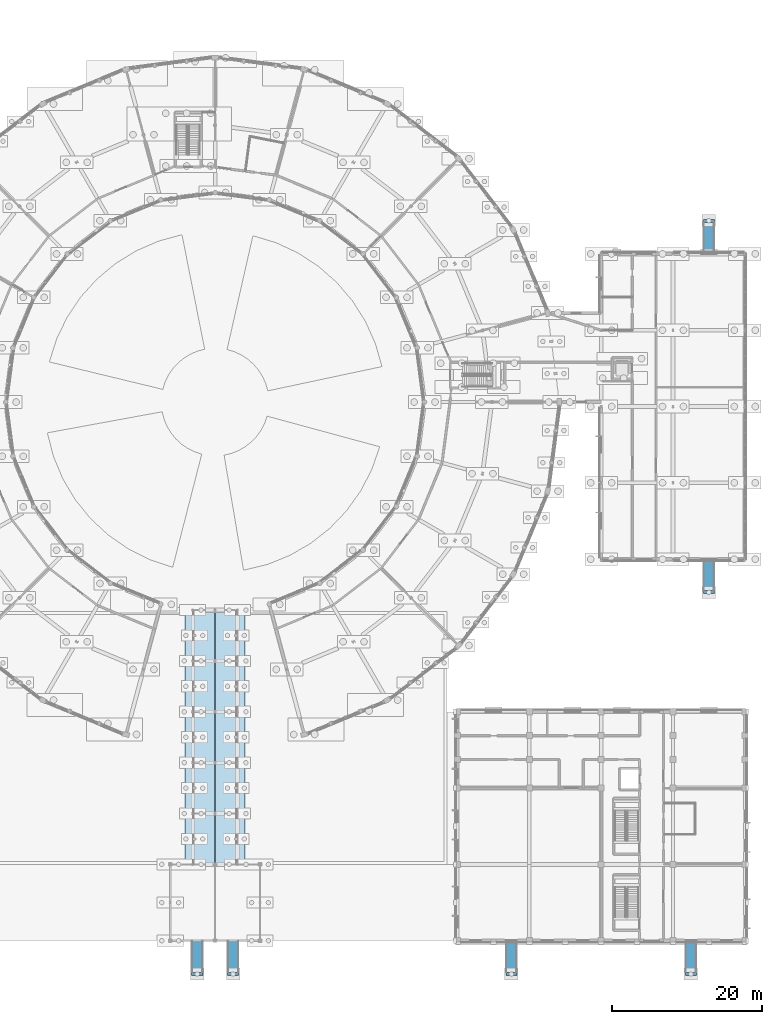
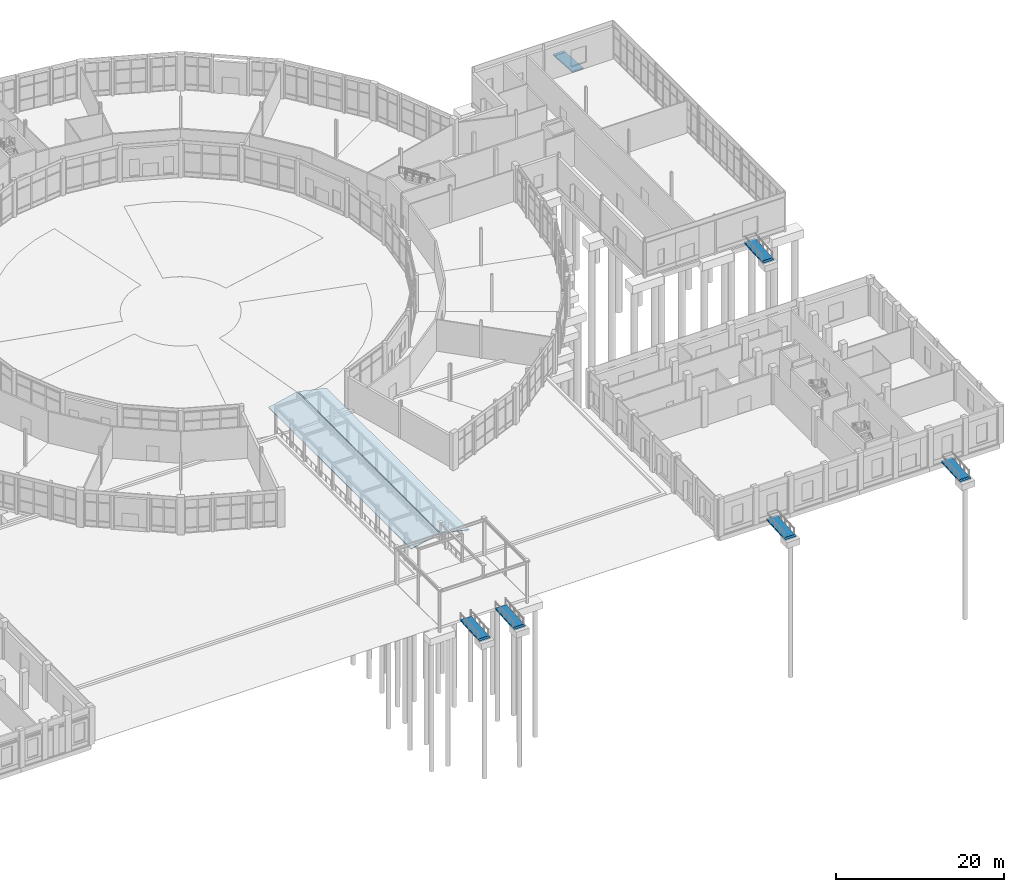
# One storey, part 115 of 137: 6 ramps, 6 ramp flights, 2 roofs.
"""IFC4 building model written with IfcOpenShell, lengths in metres."""

from ifc_helpers import new_model, si_unit, direction, frame, origin, origin_2d, place, context, subcontext, project, spatial, polyline, rectangle, outline, extrude, material, layer, layer_set, type_object, element, aggregate, save


model = new_model("IFC4")

# Units and contexts
model_context = context("Model", 3, precision=1e-05, world=origin(), true_north=direction((0.0, 1.0)))
body_context = subcontext(model_context, "Body", "Model", "MODEL_VIEW")
ifc_project = project(units=[si_unit("LENGTHUNIT", "METRE"), si_unit("AREAUNIT", "SQUARE_METRE"), si_unit("VOLUMEUNIT", "CUBIC_METRE"), si_unit("PLANEANGLEUNIT", "RADIAN"), si_unit("MASSUNIT", "GRAM", prefix="KILO")], contexts=[model_context])

# Site, building, storey
site_placement = place(None, origin())
site = spatial("IfcSite", under=ifc_project, at=site_placement, CompositionType="ELEMENT")
building_placement = place(site_placement, origin())
building = spatial("IfcBuilding", under=site, at=building_placement, Name="Vondelvale Polytechnic", CompositionType="ELEMENT")
storey_placement = place(building_placement, origin())
storey = spatial("IfcBuildingStorey", under=building, at=storey_placement, Name="L00", CompositionType="ELEMENT", Elevation=0.0)

# Ramp
ifc_material_1 = material(Name="Concrete N40 (f'c = 40 MPa)", Category="concrete")
ramp_type = type_object("IfcRampType", Name="RMP-ACCESS-1500", PredefinedType="STRAIGHT_RUN_RAMP", material=ifc_material_1)
ramp_1_placement = place(storey_placement, frame((99.60009765625, -4.419921875, -0.47998046875), z_axis=(0.0, 0.0, 1.0), x_axis=(1.0, 0.0, 0.0)))
ramp_1 = element("IfcRamp", 1, at=ramp_1_placement, inside=storey, type_object=ramp_type, Name="Accessible entrance ramp RMP-01", PredefinedType="STRAIGHT_RUN_RAMP", context=body_context, shape_type="SweptSolid", body=[
    extrude(rectangle(XDim=1.5, YDim=0.39990234375, at=origin_2d()), origin(), (0.0, 0.0, 1.0), 0.199951171875),
])

ramp_2_placement = place(storey_placement, frame((104.39990234375, -4.419921875, -0.47998046875), z_axis=(0.0, 0.0, 1.0), x_axis=(1.0, 0.0, 0.0)))
ramp_2 = element("IfcRamp", 2, at=ramp_2_placement, inside=storey, type_object=ramp_type, Name="Accessible entrance ramp RMP-02", PredefinedType="STRAIGHT_RUN_RAMP", context=body_context, shape_type="SweptSolid", body=[
    extrude(rectangle(XDim=1.5, YDim=0.39990234375, at=origin_2d()), origin(), (0.0, 0.0, 1.0), 0.199951171875),
])

ramp_3_placement = place(storey_placement, frame((141.60009765625, -4.419921875, -0.47998046875), z_axis=(0.0, 0.0, 1.0), x_axis=(1.0, 0.0, 0.0)))
ramp_3 = element("IfcRamp", 3, at=ramp_3_placement, inside=storey, type_object=ramp_type, Name="Accessible entrance ramp RMP-03", PredefinedType="STRAIGHT_RUN_RAMP", context=body_context, shape_type="SweptSolid", body=[
    extrude(rectangle(XDim=1.5, YDim=0.39990234375, at=origin_2d()), origin(), (0.0, 0.0, 1.0), 0.199951171875),
])

ramp_4_placement = place(storey_placement, frame((165.60009765625, -4.419921875, -0.47998046875), z_axis=(0.0, 0.0, 1.0), x_axis=(1.0, 0.0, 0.0)))
ramp_4 = element("IfcRamp", 4, at=ramp_4_placement, inside=storey, type_object=ramp_type, Name="Accessible entrance ramp RMP-04", PredefinedType="STRAIGHT_RUN_RAMP", context=body_context, shape_type="SweptSolid", body=[
    extrude(rectangle(XDim=1.5, YDim=0.39990234375, at=origin_2d()), origin(), (0.0, 0.0, 1.0), 0.199951171875),
])

ramp_5_placement = place(storey_placement, frame((168.0, 46.580078125, -0.47998046875), z_axis=(0.0, 0.0, 1.0), x_axis=(1.0, 0.0, 0.0)))
ramp_5 = element("IfcRamp", 5, at=ramp_5_placement, inside=storey, type_object=ramp_type, Name="Accessible entrance ramp RMP-05", PredefinedType="STRAIGHT_RUN_RAMP", context=body_context, shape_type="SweptSolid", body=[
    extrude(rectangle(XDim=1.5, YDim=0.39990234375, at=origin_2d()), origin(), (0.0, 0.0, 1.0), 0.199951171875),
])

ramp_6_placement = place(storey_placement, frame((168.0, 96.219970703125, -0.47998046875), z_axis=(0.0, 0.0, 1.0), x_axis=(1.0, 0.0, 0.0)))
ramp_6 = element("IfcRamp", 6, at=ramp_6_placement, inside=storey, type_object=ramp_type, Name="Accessible entrance ramp RMP-06", PredefinedType="STRAIGHT_RUN_RAMP", context=body_context, shape_type="SweptSolid", body=[
    extrude(rectangle(XDim=1.5, YDim=0.39990234375, at=origin_2d()), origin(), (0.0, 0.0, 1.0), 0.199951171875),
])

# Ramp flight
ifc_layer_1 = layer(ifc_material_1, 0.219970703125)
ifc_layer_set_1 = layer_set([ifc_layer_1], Name="RMPF-ACCESS-1500")
ramp_flight_type = type_object("IfcRampFlightType", Name="RMPF-ACCESS-1500", PredefinedType="STRAIGHT", material=ifc_layer_set_1)
ramp_flight_1_placement = place(storey_placement, frame((98.85009765625, -4.199951171875, -0.280029296875), z_axis=(0.0, -0.066526709719, 0.997784644547), x_axis=(0.0, 0.997784644547, 0.066526709719)))
ramp_flight_1 = element("IfcRampFlight", 7, at=ramp_flight_1_placement, type_object=ramp_flight_type, Name="Accessible ramp flight RMP-01", PredefinedType="STRAIGHT", context=body_context, shape_type="SweptSolid", body=[
    extrude(outline(polyline([(0.0, 0.0), (0.35063768549047963, 0.0), (0.7015027288752045, 0.0), (1.0523840141324192, 0.0), (1.403005457750409, 0.0), (1.7538867430076237, 0.0), (2.1045244284981033, 0.0), (2.4553894718828286, 0.0), (2.806270757140043, 0.0), (3.156892200758033, 0.0), (3.5077734860152474, 0.0), (3.8583949296332376, 0.0), (4.209276214890452, 0.0), (4.209276214890452, -1.4999999999999998), (3.8583949296332376, -1.4999999999999998), (3.5077734860152474, -1.4999999999999998), (3.156892200758033, -1.4999999999999998), (2.806270757140043, -1.4999999999999998), (2.4553894718828286, -1.4999999999999998), (2.1045244284981033, -1.4999999999999998), (1.7538867430076237, -1.4999999999999998), (1.403005457750409, -1.4999999999999998), (1.0523840141324192, -1.4999999999999998), (0.7015027288752045, -1.4999999999999998), (0.35063768549047963, -1.4999999999999998), (0.0, -1.4999999999999998), (0.0, 0.0)])), origin(), (0.0, 0.0, -1.0), 0.199951171875),
])

aggregate(ramp_1, [ramp_flight_1])

ramp_flight_2_placement = place(storey_placement, frame((103.64990234375, -4.199951171875, -0.280029296875), z_axis=(0.0, -0.066526709719, 0.997784644547), x_axis=(0.0, 0.997784644547, 0.066526709719)))
ramp_flight_2 = element("IfcRampFlight", 8, at=ramp_flight_2_placement, type_object=ramp_flight_type, Name="Accessible ramp flight RMP-02", PredefinedType="STRAIGHT", context=body_context, shape_type="SweptSolid", body=[
    extrude(outline(polyline([(0.0, 0.0), (0.35063768549047963, 0.0), (0.7015027288752045, 0.0), (1.0523840141324192, 0.0), (1.403005457750409, 0.0), (1.7538867430076237, 0.0), (2.1045244284981033, 0.0), (2.4553894718828286, 0.0), (2.806270757140043, 0.0), (3.156892200758033, 0.0), (3.5077734860152474, 0.0), (3.8583949296332376, 0.0), (4.209276214890452, 0.0), (4.209276214890452, -1.4999999999999998), (3.8583949296332376, -1.4999999999999998), (3.5077734860152474, -1.4999999999999998), (3.156892200758033, -1.4999999999999998), (2.806270757140043, -1.4999999999999998), (2.4553894718828286, -1.4999999999999998), (2.1045244284981033, -1.4999999999999998), (1.7538867430076237, -1.4999999999999998), (1.403005457750409, -1.4999999999999998), (1.0523840141324192, -1.4999999999999998), (0.7015027288752045, -1.4999999999999998), (0.35063768549047963, -1.4999999999999998), (0.0, -1.4999999999999998), (0.0, 0.0)])), origin(), (0.0, 0.0, -1.0), 0.199951171875),
])

aggregate(ramp_2, [ramp_flight_2])

ramp_flight_3_placement = place(storey_placement, frame((140.85009765625, -4.199951171875, -0.280029296875), z_axis=(0.0, -0.066526709719, 0.997784644547), x_axis=(0.0, 0.997784644547, 0.066526709719)))
ramp_flight_3 = element("IfcRampFlight", 9, at=ramp_flight_3_placement, type_object=ramp_flight_type, Name="Accessible ramp flight RMP-03", PredefinedType="STRAIGHT", context=body_context, shape_type="SweptSolid", body=[
    extrude(outline(polyline([(0.0, 0.0), (0.35063768549047963, 0.0), (0.7015027288752045, 0.0), (1.0523840141324192, 0.0), (1.403005457750409, 0.0), (1.7538867430076237, 0.0), (2.1045244284981033, 0.0), (2.4553894718828286, 0.0), (2.806270757140043, 0.0), (3.156892200758033, 0.0), (3.5077734860152474, 0.0), (3.8583949296332376, 0.0), (4.209276214890452, 0.0), (4.209276214890452, -1.4999999999999998), (3.8583949296332376, -1.4999999999999998), (3.5077734860152474, -1.4999999999999998), (3.156892200758033, -1.4999999999999998), (2.806270757140043, -1.4999999999999998), (2.4553894718828286, -1.4999999999999998), (2.1045244284981033, -1.4999999999999998), (1.7538867430076237, -1.4999999999999998), (1.403005457750409, -1.4999999999999998), (1.0523840141324192, -1.4999999999999998), (0.7015027288752045, -1.4999999999999998), (0.35063768549047963, -1.4999999999999998), (0.0, -1.4999999999999998), (0.0, 0.0)])), origin(), (0.0, 0.0, -1.0), 0.199951171875),
])

aggregate(ramp_3, [ramp_flight_3])

ramp_flight_4_placement = place(storey_placement, frame((164.85009765625, -4.199951171875, -0.280029296875), z_axis=(0.0, -0.066526709719, 0.997784644547), x_axis=(0.0, 0.997784644547, 0.066526709719)))
ramp_flight_4 = element("IfcRampFlight", 10, at=ramp_flight_4_placement, type_object=ramp_flight_type, Name="Accessible ramp flight RMP-04", PredefinedType="STRAIGHT", context=body_context, shape_type="SweptSolid", body=[
    extrude(outline(polyline([(0.0, 0.0), (0.35063768549047963, 0.0), (0.7015027288752045, 0.0), (1.0523840141324192, 0.0), (1.403005457750409, 0.0), (1.7538867430076237, 0.0), (2.1045244284981033, 0.0), (2.4553894718828286, 0.0), (2.806270757140043, 0.0), (3.156892200758033, 0.0), (3.5077734860152474, 0.0), (3.8583949296332376, 0.0), (4.209276214890452, 0.0), (4.209276214890452, -1.4999999999999998), (3.8583949296332376, -1.4999999999999998), (3.5077734860152474, -1.4999999999999998), (3.156892200758033, -1.4999999999999998), (2.806270757140043, -1.4999999999999998), (2.4553894718828286, -1.4999999999999998), (2.1045244284981033, -1.4999999999999998), (1.7538867430076237, -1.4999999999999998), (1.403005457750409, -1.4999999999999998), (1.0523840141324192, -1.4999999999999998), (0.7015027288752045, -1.4999999999999998), (0.35063768549047963, -1.4999999999999998), (0.0, -1.4999999999999998), (0.0, 0.0)])), origin(), (0.0, 0.0, -1.0), 0.199951171875),
])

aggregate(ramp_4, [ramp_flight_4])

ramp_flight_5_placement = place(storey_placement, frame((167.25, 46.800048828125, -0.280029296875), z_axis=(0.0, -0.066526709719, 0.997784644547), x_axis=(0.0, 0.997784644547, 0.066526709719)))
ramp_flight_5 = element("IfcRampFlight", 11, at=ramp_flight_5_placement, type_object=ramp_flight_type, Name="Accessible ramp flight RMP-05", PredefinedType="STRAIGHT", context=body_context, shape_type="SweptSolid", body=[
    extrude(outline(polyline([(0.0, 0.0), (0.35063768549047963, 0.0), (0.7015027288752045, 0.0), (1.0523840141324192, 0.0), (1.403005457750409, 0.0), (1.7538867430076237, 0.0), (2.1045244284981033, 0.0), (2.4553894718828286, 0.0), (2.806270757140043, 0.0), (3.156892200758033, 0.0), (3.5077734860152474, 0.0), (3.8583949296332376, 0.0), (4.209276214890452, 0.0), (4.209276214890452, -1.4999999999999998), (3.8583949296332376, -1.4999999999999998), (3.5077734860152474, -1.4999999999999998), (3.156892200758033, -1.4999999999999998), (2.806270757140043, -1.4999999999999998), (2.4553894718828286, -1.4999999999999998), (2.1045244284981033, -1.4999999999999998), (1.7538867430076237, -1.4999999999999998), (1.403005457750409, -1.4999999999999998), (1.0523840141324192, -1.4999999999999998), (0.7015027288752045, -1.4999999999999998), (0.35063768549047963, -1.4999999999999998), (0.0, -1.4999999999999998), (0.0, 0.0)])), origin(), (0.0, 0.0, -1.0), 0.199951171875),
])

aggregate(ramp_5, [ramp_flight_5])

ramp_flight_6_placement = place(storey_placement, frame((168.75, 96.0, -0.280029296875), z_axis=(0.0, 0.066526709719, 0.997784644547), x_axis=(0.0, -0.997784644547, 0.066526709719)))
ramp_flight_6 = element("IfcRampFlight", 12, at=ramp_flight_6_placement, type_object=ramp_flight_type, Name="Accessible ramp flight RMP-06", PredefinedType="STRAIGHT", context=body_context, shape_type="SweptSolid", body=[
    extrude(outline(polyline([(0.0, 0.0), (0.3508812852572148, 0.0), (0.7015027288752045, 0.0), (1.0523840141324192, 0.0), (1.403005457750409, 0.0), (1.7538867430076237, 0.0), (2.1047680282648384, 0.0), (2.4553894718828286, 0.0), (2.806270757140043, 0.0), (3.156892200758033, 0.0), (3.5077734860152474, 0.0), (3.8586385293999728, 0.0), (4.209276214890452, 0.0), (4.209276214890452, -1.4999999999999998), (3.8586385293999728, -1.4999999999999998), (3.5077734860152474, -1.4999999999999998), (3.156892200758033, -1.4999999999999998), (2.806270757140043, -1.4999999999999998), (2.4553894718828286, -1.4999999999999998), (2.1047680282648384, -1.4999999999999998), (1.7538867430076237, -1.4999999999999998), (1.403005457750409, -1.4999999999999998), (1.0523840141324192, -1.4999999999999998), (0.7015027288752045, -1.4999999999999998), (0.3508812852572148, -1.4999999999999998), (0.0, -1.4999999999999998), (0.0, 0.0)])), origin(), (0.0, 0.0, -1.0), 0.199951171875),
])

aggregate(ramp_6, [ramp_flight_6])

# Roofs
ifc_material_2 = material(Name="Dark zinc-bronze standing-seam insulated roof system")
ifc_layer_2 = layer(ifc_material_2, 0.050048828125)
ifc_layer_set_2 = layer_set([ifc_layer_2], Name="RF-CANOPY-GLZ")
roof_type = type_object("IfcRoofType", Name="RF-CANOPY-GLZ", PredefinedType="GABLE_ROOF", material=ifc_layer_set_2)
for number, where, z_axis, x_axis, name in (
    (13, (98.0, 10.260009765625, 4.35009765625), (-0.217954869952, 0.0, 0.975958848858), (0.975958848858, 0.0, 0.217954869952), "Footbridge West zinc roof"),
    (14, (102.06005859375, 10.260009765625, 5.22998046875), (0.217954869952, 0.0, 0.975958848858), (0.975958848858, 0.0, -0.217954869952), "Footbridge East zinc roof"),
):
    element("IfcRoof", number, at=place(storey_placement, frame(where, z_axis=z_axis, x_axis=x_axis)), inside=storey, type_object=roof_type, Name=name, PredefinedType="GABLE_ROOF", context=body_context, shape_type="SweptSolid", body=[
        extrude(outline(polyline([(0.0, 0.0), (4.036995423383106, 0.0), (4.036995423383106, 33.93994140625), (0.0, 33.93994140625), (0.0, 0.0)])), origin(), (0.0, 0.0, -1.0), 0.050048828125),
    ])

save(model, "model.ifc")
